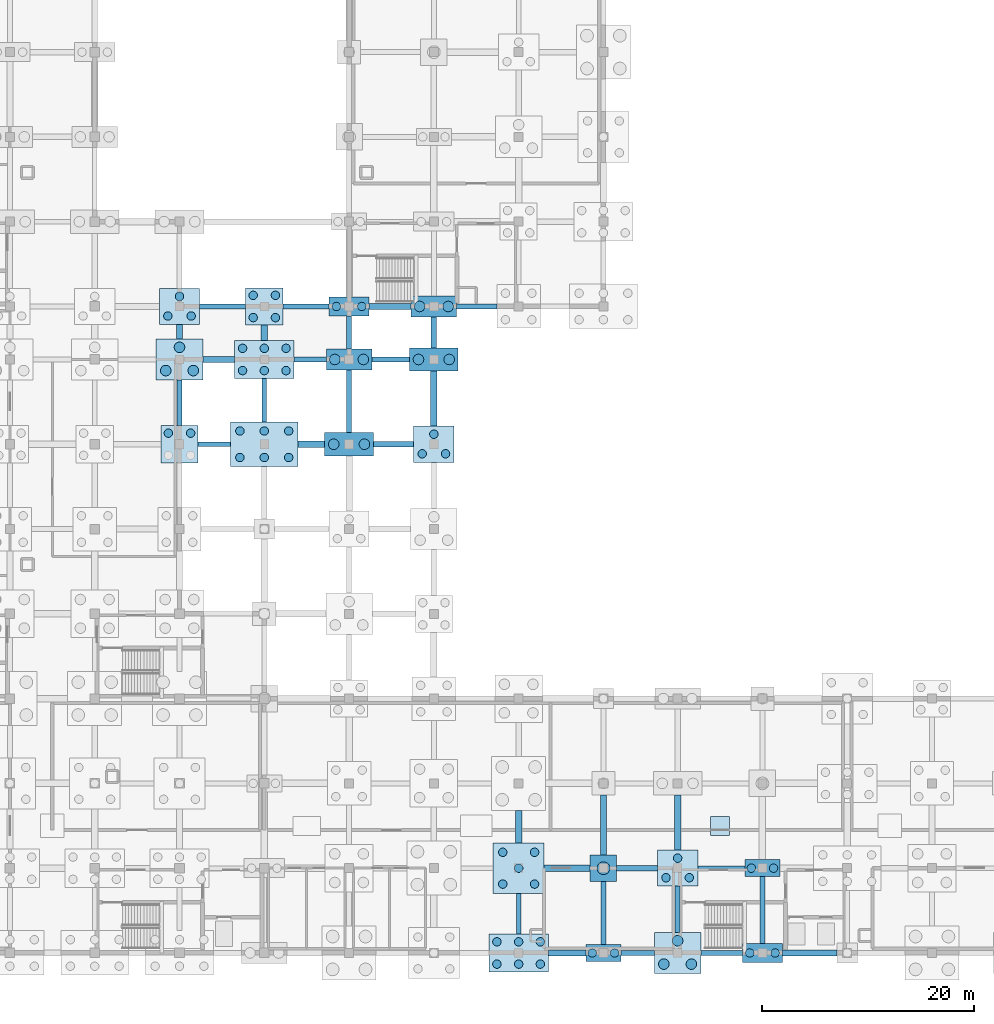
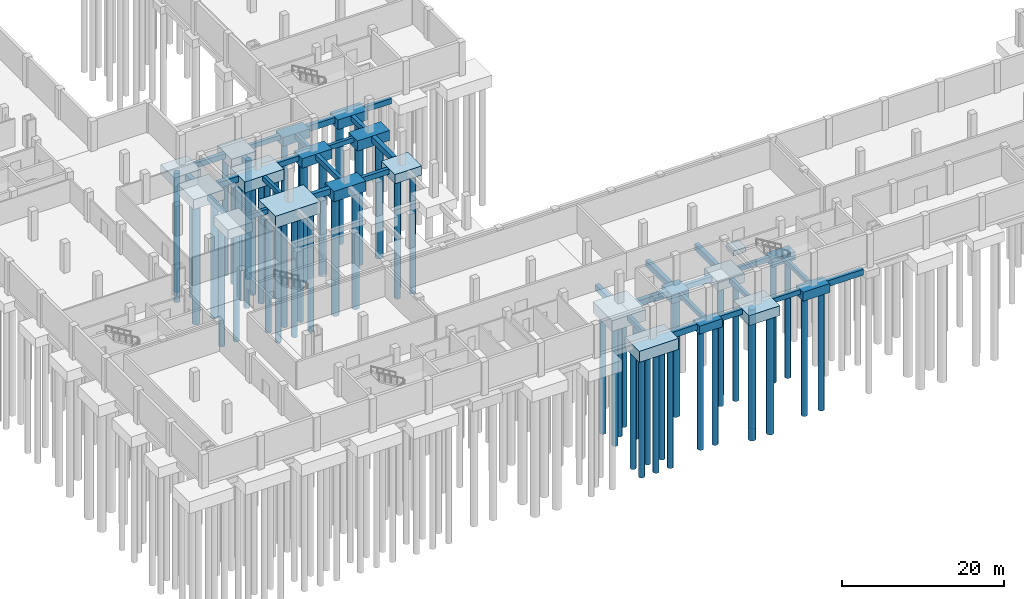
# One storey, part 4 of 26: 61 piles, 53 footings.
"""IFC4 building model written with IfcOpenShell, lengths in metres."""

from ifc_helpers import new_model, si_unit, direction, frame, origin, origin_2d, place, context, subcontext, project, spatial, rectangle, circle, extrude, material, layer, layer_set, material_profile, profile_set, type_object, element, save


model = new_model("IFC4")

# Units and contexts
model_context = context("Model", 3, precision=1e-05, world=origin(), true_north=direction((0.0, 1.0)))
body_context = subcontext(model_context, "Body", "Model", "MODEL_VIEW")
ifc_project = project(units=[si_unit("LENGTHUNIT", "METRE"), si_unit("AREAUNIT", "SQUARE_METRE"), si_unit("VOLUMEUNIT", "CUBIC_METRE"), si_unit("PLANEANGLEUNIT", "RADIAN"), si_unit("MASSUNIT", "GRAM", prefix="KILO")], contexts=[model_context])

# Site, building, storey
site_placement = place(None, origin())
site = spatial("IfcSite", under=ifc_project, at=site_placement, CompositionType="ELEMENT")
building_placement = place(site_placement, origin())
building = spatial("IfcBuilding", under=site, at=building_placement, Name="Qorikala Patio Media Centre", CompositionType="ELEMENT")
storey_placement = place(building_placement, frame((0.0, 0.0, -4.5)))
storey = spatial("IfcBuildingStorey", under=building, at=storey_placement, Name="B1", CompositionType="ELEMENT", Elevation=-4.5)

# Footings
ifc_material = material(Name="Concrete C30/37", Category="concrete")
ifc_material_profile_1 = material_profile(ifc_material, rectangle(XDim=0.449951171875, YDim=0.699951171875, at=origin_2d()), Name="RC 450x700")
ifc_profile_set_1 = profile_set([ifc_material_profile_1], Name="Concrete C30/37")
footing_type_1 = type_object("IfcFootingType", Name="GB-450X700", PredefinedType="FOOTING_BEAM", material=ifc_profile_set_1)
footing_1_placement = place(storey_placement, frame((84.199951171875, 3.0, -0.949951171875), z_axis=(1.0, 0.0, 0.0), x_axis=(0.0, 1.0, 0.0)))
element("IfcFooting", 1, at=footing_1_placement, inside=storey, type_object=footing_type_1, Name="Ground Tie Beam X-011", PredefinedType="FOOTING_BEAM", context=body_context, shape_type="SweptSolid", body=[
    extrude(rectangle(XDim=0.449951171875, YDim=0.699951171875, at=origin_2d()), origin(), (0.0, 0.0, 1.0), 3.900146484375),
])
footing_2_placement = place(storey_placement, frame((83.89990234375, 11.0, -0.949951171875), z_axis=(1.0, 0.0, 0.0), x_axis=(0.0, 1.0, 0.0)))
element("IfcFooting", 2, at=footing_2_placement, inside=storey, type_object=footing_type_1, Name="Ground Tie Beam X-032", PredefinedType="FOOTING_BEAM", context=body_context, shape_type="SweptSolid", body=[
    extrude(rectangle(XDim=0.449951171875, YDim=0.699951171875, at=origin_2d()), origin(), (0.0, 0.0, 1.0), 4.4501953125),
])
footing_3_placement = place(storey_placement, frame((36.75, 51.0, -0.949951171875), z_axis=(1.0, 0.0, 0.0), x_axis=(0.0, 1.0, 0.0)))
element("IfcFooting", 3, at=footing_3_placement, inside=storey, type_object=footing_type_1, Name="Ground Tie Beam X-107", PredefinedType="FOOTING_BEAM", context=body_context, shape_type="SweptSolid", body=[
    extrude(rectangle(XDim=0.449951171875, YDim=0.699951171875, at=origin_2d()), origin(), (0.0, 0.0, 1.0), 3.050048828125),
])
footing_4_placement = place(storey_placement, frame((53.14990234375, 59.0, -0.949951171875), z_axis=(1.0, 0.0, 0.0), x_axis=(0.0, 1.0, 0.0)))
element("IfcFooting", 4, at=footing_4_placement, inside=storey, type_object=footing_type_1, Name="Ground Tie Beam X-116", PredefinedType="FOOTING_BEAM", context=body_context, shape_type="SweptSolid", body=[
    extrude(rectangle(XDim=0.449951171875, YDim=0.699951171875, at=origin_2d()), origin(), (0.0, 0.0, 1.0), 3.550048828125),
])
footing_5_placement = place(storey_placement, frame((44.75, 64.0, -0.949951171875), z_axis=(1.0, 0.0, 0.0), x_axis=(0.0, 1.0, 0.0)))
element("IfcFooting", 5, at=footing_5_placement, inside=storey, type_object=footing_type_1, Name="Ground Tie Beam X-122", PredefinedType="FOOTING_BEAM", context=body_context, shape_type="SweptSolid", body=[
    extrude(rectangle(XDim=0.449951171875, YDim=0.699951171875, at=origin_2d()), origin(), (0.0, 0.0, 1.0), 4.35009765625),
])
footing_6_placement = place(storey_placement, frame((35.0, 52.75, -0.949951171875), z_axis=(0.0, 1.0, 0.0), x_axis=(-1.0, 0.0, 0.0)))
element("IfcFooting", 6, at=footing_6_placement, inside=storey, type_object=footing_type_1, Name="Ground Tie Beam Y-233", PredefinedType="FOOTING_BEAM", context=body_context, shape_type="SweptSolid", body=[
    extrude(rectangle(XDim=0.449951171875, YDim=0.699951171875, at=origin_2d()), origin(), (0.0, 0.0, 1.0), 4.300048828125),
])
footing_7_placement = place(storey_placement, frame((43.0, 53.10009765625, -0.949951171875), z_axis=(0.0, 1.0, 0.0), x_axis=(-1.0, 0.0, 0.0)))
element("IfcFooting", 7, at=footing_7_placement, inside=storey, type_object=footing_type_1, Name="Ground Tie Beam Y-242", PredefinedType="FOOTING_BEAM", context=body_context, shape_type="SweptSolid", body=[
    extrude(rectangle(XDim=0.449951171875, YDim=0.699951171875, at=origin_2d()), origin(), (0.0, 0.0, 1.0), 4.099853515625),
])
footing_8_placement = place(storey_placement, frame((51.0, 60.0, -0.949951171875), z_axis=(0.0, 1.0, 0.0), x_axis=(-1.0, 0.0, 0.0)))
element("IfcFooting", 8, at=footing_8_placement, inside=storey, type_object=footing_type_1, Name="Ground Tie Beam Y-251", PredefinedType="FOOTING_BEAM", context=body_context, shape_type="SweptSolid", body=[
    extrude(rectangle(XDim=0.449951171875, YDim=0.699951171875, at=origin_2d()), origin(), (0.0, 0.0, 1.0), 3.10009765625),
])
footing_9_placement = place(storey_placement, frame((67.0, 4.800048828125, -0.949951171875), z_axis=(0.0, 1.0, 0.0), x_axis=(-1.0, 0.0, 0.0)))
element("IfcFooting", 9, at=footing_9_placement, inside=storey, type_object=footing_type_1, Name="Ground Tie Beam Y-272", PredefinedType="FOOTING_BEAM", context=body_context, shape_type="SweptSolid", body=[
    extrude(rectangle(XDim=0.449951171875, YDim=0.699951171875, at=origin_2d()), origin(), (0.0, 0.0, 1.0), 3.800048828125),
])
footing_10_placement = place(storey_placement, frame((75.0, 3.800048828125, -0.949951171875), z_axis=(0.0, 1.0, 0.0), x_axis=(-1.0, 0.0, 0.0)))
element("IfcFooting", 10, at=footing_10_placement, inside=storey, type_object=footing_type_1, Name="Ground Tie Beam Y-281", PredefinedType="FOOTING_BEAM", context=body_context, shape_type="SweptSolid", body=[
    extrude(rectangle(XDim=0.449951171875, YDim=0.699951171875, at=origin_2d()), origin(), (0.0, 0.0, 1.0), 5.949951171875),
])
footing_11_placement = place(storey_placement, frame((82.0, 4.949951171875, -0.949951171875), z_axis=(0.0, 1.0, 0.0), x_axis=(-1.0, 0.0, 0.0)))
element("IfcFooting", 11, at=footing_11_placement, inside=storey, type_object=footing_type_1, Name="Ground Tie Beam Y-290", PredefinedType="FOOTING_BEAM", context=body_context, shape_type="SweptSolid", body=[
    extrude(rectangle(XDim=0.449951171875, YDim=0.699951171875, at=origin_2d()), origin(), (0.0, 0.0, 1.0), 4.35009765625),
])
footing_12_placement = place(storey_placement, frame((90.0, 3.89990234375, -0.949951171875), z_axis=(0.0, 1.0, 0.0), x_axis=(-1.0, 0.0, 0.0)))
element("IfcFooting", 12, at=footing_12_placement, inside=storey, type_object=footing_type_1, Name="Ground Tie Beam Y-293", PredefinedType="FOOTING_BEAM", context=body_context, shape_type="SweptSolid", body=[
    extrude(rectangle(XDim=0.449951171875, YDim=0.699951171875, at=origin_2d()), origin(), (0.0, 0.0, 1.0), 6.300048828125),
])
ifc_material_profile_2 = material_profile(ifc_material, rectangle(XDim=0.5, YDim=0.800048828125, at=origin_2d()), Name="RC 500x800")
ifc_profile_set_2 = profile_set([ifc_material_profile_2], Name="Concrete C30/37")
footing_type_2 = type_object("IfcFootingType", Name="GB-500X800", PredefinedType="FOOTING_BEAM", material=ifc_profile_set_2)
footing_13_placement = place(storey_placement, frame((76.64990234375, 3.0, -1.0), z_axis=(1.0, 0.0, 0.0), x_axis=(0.0, 1.0, 0.0)))
element("IfcFooting", 13, at=footing_13_placement, inside=storey, type_object=footing_type_2, Name="Ground Tie Beam X-010", PredefinedType="FOOTING_BEAM", context=body_context, shape_type="SweptSolid", body=[
    extrude(rectangle(XDim=0.5, YDim=0.800048828125, at=origin_2d()), origin(), (0.0, 0.0, 1.0), 3.150146484375),
])
footing_14_placement = place(storey_placement, frame((76.25, 11.0, -1.0), z_axis=(1.0, 0.0, 0.0), x_axis=(0.0, 1.0, 0.0)))
element("IfcFooting", 14, at=footing_14_placement, inside=storey, type_object=footing_type_2, Name="Ground Tie Beam X-031", PredefinedType="FOOTING_BEAM", context=body_context, shape_type="SweptSolid", body=[
    extrude(rectangle(XDim=0.5, YDim=0.800048828125, at=origin_2d()), origin(), (0.0, 0.0, 1.0), 3.85009765625),
])
footing_15_placement = place(storey_placement, frame((53.300048828125, 51.0, -1.0), z_axis=(1.0, 0.0, 0.0), x_axis=(0.0, 1.0, 0.0)))
element("IfcFooting", 15, at=footing_15_placement, inside=storey, type_object=footing_type_2, Name="Ground Tie Beam X-109", PredefinedType="FOOTING_BEAM", context=body_context, shape_type="SweptSolid", body=[
    extrude(rectangle(XDim=0.5, YDim=0.800048828125, at=origin_2d()), origin(), (0.0, 0.0, 1.0), 3.800048828125),
])
footing_16_placement = place(storey_placement, frame((45.800048828125, 59.0, -1.0), z_axis=(1.0, 0.0, 0.0), x_axis=(0.0, 1.0, 0.0)))
element("IfcFooting", 16, at=footing_16_placement, inside=storey, type_object=footing_type_2, Name="Ground Tie Beam X-115", PredefinedType="FOOTING_BEAM", context=body_context, shape_type="SweptSolid", body=[
    extrude(rectangle(XDim=0.5, YDim=0.800048828125, at=origin_2d()), origin(), (0.0, 0.0, 1.0), 3.050048828125),
])
footing_17_placement = place(storey_placement, frame((36.89990234375, 64.0, -1.0), z_axis=(1.0, 0.0, 0.0), x_axis=(0.0, 1.0, 0.0)))
element("IfcFooting", 17, at=footing_17_placement, inside=storey, type_object=footing_type_2, Name="Ground Tie Beam X-121", PredefinedType="FOOTING_BEAM", context=body_context, shape_type="SweptSolid", body=[
    extrude(rectangle(XDim=0.5, YDim=0.800048828125, at=origin_2d()), origin(), (0.0, 0.0, 1.0), 4.35009765625),
])
footing_18_placement = place(storey_placement, frame((61.14990234375, 64.0, -1.0), z_axis=(1.0, 0.0, 0.0), x_axis=(0.0, 1.0, 0.0)))
element("IfcFooting", 18, at=footing_18_placement, inside=storey, type_object=footing_type_2, Name="Ground Tie Beam X-124", PredefinedType="FOOTING_BEAM", context=body_context, shape_type="SweptSolid", body=[
    extrude(rectangle(XDim=0.5, YDim=0.800048828125, at=origin_2d()), origin(), (0.0, 0.0, 1.0), 3.800048828125),
])
footing_19_placement = place(storey_placement, frame((51.0, 52.10009765625, -1.0), z_axis=(0.0, 1.0, 0.0), x_axis=(-1.0, 0.0, 0.0)))
element("IfcFooting", 19, at=footing_19_placement, inside=storey, type_object=footing_type_2, Name="Ground Tie Beam Y-250", PredefinedType="FOOTING_BEAM", context=body_context, shape_type="SweptSolid", body=[
    extrude(rectangle(XDim=0.5, YDim=0.800048828125, at=origin_2d()), origin(), (0.0, 0.0, 1.0), 5.89990234375),
])
footing_20_placement = place(storey_placement, frame((59.0, 60.10009765625, -1.0), z_axis=(0.0, 1.0, 0.0), x_axis=(-1.0, 0.0, 0.0)))
element("IfcFooting", 20, at=footing_20_placement, inside=storey, type_object=footing_type_2, Name="Ground Tie Beam Y-265", PredefinedType="FOOTING_BEAM", context=body_context, shape_type="SweptSolid", body=[
    extrude(rectangle(XDim=0.5, YDim=0.800048828125, at=origin_2d()), origin(), (0.0, 0.0, 1.0), 2.89990234375),
])
ifc_material_profile_3 = material_profile(ifc_material, rectangle(XDim=0.60009765625, YDim=0.89990234375, at=origin_2d()), Name="RC 600x900")
ifc_profile_set_3 = profile_set([ifc_material_profile_3], Name="Concrete C30/37")
footing_type_3 = type_object("IfcFootingType", Name="GB-600X900", PredefinedType="FOOTING_BEAM", material=ifc_profile_set_3)
footing_21_placement = place(storey_placement, frame((69.800048828125, 3.0, -1.050048828125), z_axis=(1.0, 0.0, 0.0), x_axis=(0.0, 1.0, 0.0)))
element("IfcFooting", 21, at=footing_21_placement, inside=storey, type_object=footing_type_3, Name="Ground Tie Beam X-009", PredefinedType="FOOTING_BEAM", context=body_context, shape_type="SweptSolid", body=[
    extrude(rectangle(XDim=0.60009765625, YDim=0.89990234375, at=origin_2d()), origin(), (0.0, 0.0, 1.0), 3.550048828125),
])
footing_22_placement = place(storey_placement, frame((91.89990234375, 3.0, -1.050048828125), z_axis=(1.0, 0.0, 0.0), x_axis=(0.0, 1.0, 0.0)))
element("IfcFooting", 22, at=footing_22_placement, inside=storey, type_object=footing_type_3, Name="Ground Tie Beam X-012", PredefinedType="FOOTING_BEAM", context=body_context, shape_type="SweptSolid", body=[
    extrude(rectangle(XDim=0.60009765625, YDim=0.89990234375, at=origin_2d()), origin(), (0.0, 0.0, 1.0), 5.150146484375),
])
footing_23_placement = place(storey_placement, frame((69.39990234375, 11.0, -1.050048828125), z_axis=(1.0, 0.0, 0.0), x_axis=(0.0, 1.0, 0.0)))
element("IfcFooting", 23, at=footing_23_placement, inside=storey, type_object=footing_type_3, Name="Ground Tie Beam X-030", PredefinedType="FOOTING_BEAM", context=body_context, shape_type="SweptSolid", body=[
    extrude(rectangle(XDim=0.60009765625, YDim=0.89990234375, at=origin_2d()), origin(), (0.0, 0.0, 1.0), 4.35009765625),
])
footing_24_placement = place(storey_placement, frame((46.199951171875, 51.0, -1.050048828125), z_axis=(1.0, 0.0, 0.0), x_axis=(0.0, 1.0, 0.0)))
element("IfcFooting", 24, at=footing_24_placement, inside=storey, type_object=footing_type_3, Name="Ground Tie Beam X-108", PredefinedType="FOOTING_BEAM", context=body_context, shape_type="SweptSolid", body=[
    extrude(rectangle(XDim=0.60009765625, YDim=0.89990234375, at=origin_2d()), origin(), (0.0, 0.0, 1.0), 2.5),
])
footing_25_placement = place(storey_placement, frame((37.199951171875, 59.0, -1.050048828125), z_axis=(1.0, 0.0, 0.0), x_axis=(0.0, 1.0, 0.0)))
element("IfcFooting", 25, at=footing_25_placement, inside=storey, type_object=footing_type_3, Name="Ground Tie Beam X-114", PredefinedType="FOOTING_BEAM", context=body_context, shape_type="SweptSolid", body=[
    extrude(rectangle(XDim=0.60009765625, YDim=0.89990234375, at=origin_2d()), origin(), (0.0, 0.0, 1.0), 3.0),
])
footing_26_placement = place(storey_placement, frame((52.89990234375, 64.0, -1.050048828125), z_axis=(1.0, 0.0, 0.0), x_axis=(0.0, 1.0, 0.0)))
element("IfcFooting", 26, at=footing_26_placement, inside=storey, type_object=footing_type_3, Name="Ground Tie Beam X-123", PredefinedType="FOOTING_BEAM", context=body_context, shape_type="SweptSolid", body=[
    extrude(rectangle(XDim=0.60009765625, YDim=0.89990234375, at=origin_2d()), origin(), (0.0, 0.0, 1.0), 3.9501953125),
])
footing_27_placement = place(storey_placement, frame((35.0, 60.949951171875, -1.050048828125), z_axis=(0.0, 1.0, 0.0), x_axis=(-1.0, 0.0, 0.0)))
element("IfcFooting", 27, at=footing_27_placement, inside=storey, type_object=footing_type_3, Name="Ground Tie Beam Y-234", PredefinedType="FOOTING_BEAM", context=body_context, shape_type="SweptSolid", body=[
    extrude(rectangle(XDim=0.60009765625, YDim=0.89990234375, at=origin_2d()), origin(), (0.0, 0.0, 1.0), 1.35009765625),
])
footing_28_placement = place(storey_placement, frame((43.0, 60.800048828125, -1.050048828125), z_axis=(0.0, 1.0, 0.0), x_axis=(-1.0, 0.0, 0.0)))
element("IfcFooting", 28, at=footing_28_placement, inside=storey, type_object=footing_type_3, Name="Ground Tie Beam Y-243", PredefinedType="FOOTING_BEAM", context=body_context, shape_type="SweptSolid", body=[
    extrude(rectangle(XDim=0.60009765625, YDim=0.89990234375, at=origin_2d()), origin(), (0.0, 0.0, 1.0), 1.449951171875),
])
footing_29_placement = place(storey_placement, frame((59.0, 52.699951171875, -1.050048828125), z_axis=(0.0, 1.0, 0.0), x_axis=(-1.0, 0.0, 0.0)))
element("IfcFooting", 29, at=footing_29_placement, inside=storey, type_object=footing_type_3, Name="Ground Tie Beam Y-264", PredefinedType="FOOTING_BEAM", context=body_context, shape_type="SweptSolid", body=[
    extrude(rectangle(XDim=0.60009765625, YDim=0.89990234375, at=origin_2d()), origin(), (0.0, 0.0, 1.0), 5.199951171875),
])
footing_30_placement = place(storey_placement, frame((67.0, 13.39990234375, -1.050048828125), z_axis=(0.0, 1.0, 0.0), x_axis=(-1.0, 0.0, 0.0)))
element("IfcFooting", 30, at=footing_30_placement, inside=storey, type_object=footing_type_3, Name="Ground Tie Beam Y-273", PredefinedType="FOOTING_BEAM", context=body_context, shape_type="SweptSolid", body=[
    extrude(rectangle(XDim=0.60009765625, YDim=0.89990234375, at=origin_2d()), origin(), (0.0, 0.0, 1.0), 3.050048828125),
])
footing_31_placement = place(storey_placement, frame((75.0, 12.25, -1.050048828125), z_axis=(0.0, 1.0, 0.0), x_axis=(-1.0, 0.0, 0.0)))
element("IfcFooting", 31, at=footing_31_placement, inside=storey, type_object=footing_type_3, Name="Ground Tie Beam Y-282", PredefinedType="FOOTING_BEAM", context=body_context, shape_type="SweptSolid", body=[
    extrude(rectangle(XDim=0.60009765625, YDim=0.89990234375, at=origin_2d()), origin(), (0.0, 0.0, 1.0), 5.64990234375),
])
footing_32_placement = place(storey_placement, frame((82.0, 12.699951171875, -1.050048828125), z_axis=(0.0, 1.0, 0.0), x_axis=(-1.0, 0.0, 0.0)))
element("IfcFooting", 32, at=footing_32_placement, inside=storey, type_object=footing_type_3, Name="Ground Tie Beam Y-291", PredefinedType="FOOTING_BEAM", context=body_context, shape_type="SweptSolid", body=[
    extrude(rectangle(XDim=0.60009765625, YDim=0.89990234375, at=origin_2d()), origin(), (0.0, 0.0, 1.0), 5.199951171875),
])
ifc_layer_1 = layer(ifc_material, 1.35009765625)
ifc_layer_set_1 = layer_set([ifc_layer_1], Name="Concrete C30/37")
footing_type_4 = type_object("IfcFootingType", Name="PC-1C", PredefinedType="PILE_CAP", material=ifc_layer_set_1)
footing_33_placement = place(storey_placement, frame((75.0, 11.0, -1.949951171875), z_axis=(0.0, 0.0, 1.0), x_axis=(1.0, 0.0, 0.0)))
element("IfcFooting", 33, at=footing_33_placement, inside=storey, type_object=footing_type_4, Name="Pile Cap PC-1C at (75.0,11.0)", PredefinedType="PILE_CAP", context=body_context, shape_type="SweptSolid", body=[
    extrude(rectangle(XDim=2.5, YDim=2.5, at=origin_2d()), origin(), (0.0, 0.0, 1.0), 1.35009765625),
])
ifc_layer_2 = layer(ifc_material, 1.25)
ifc_layer_set_2 = layer_set([ifc_layer_2], Name="Concrete C30/37")
footing_type_5 = type_object("IfcFootingType", Name="PC-2A", PredefinedType="PILE_CAP", material=ifc_layer_set_2)
for number, where, z_axis, x_axis, name in (
    (34, (75.0, 3.0, -1.85009765625), (0.0, 0.0, 1.0), (1.0, 0.0, 0.0), "Pile Cap PC-2A at (75.0,3.0)"),
    (35, (90.0, 11.0, -1.85009765625), (0.0, 0.0, 1.0), (1.0, 0.0, 0.0), "Pile Cap PC-2A at (90.0,11.0)"),
):
    element("IfcFooting", number, at=place(storey_placement, frame(where, z_axis=z_axis, x_axis=x_axis)), inside=storey, type_object=footing_type_5, Name=name, PredefinedType="PILE_CAP", context=body_context, shape_type="SweptSolid", body=[
        extrude(rectangle(XDim=3.300048828125, YDim=1.60009765625, at=origin_2d()), origin(), (0.0, 0.0, 1.0), 1.25),
    ])
ifc_layer_3 = layer(ifc_material, 1.35009765625)
ifc_layer_set_3 = layer_set([ifc_layer_3], Name="Concrete C30/37")
footing_type_6 = type_object("IfcFootingType", Name="PC-2B", PredefinedType="PILE_CAP", material=ifc_layer_set_3)
for number, where, z_axis, x_axis, name in (
    (36, (51.0, 64.0, -1.949951171875), (0.0, 0.0, 1.0), (1.0, 0.0, 0.0), "Pile Cap PC-2B at (51.0,64.0)"),
    (37, (90.0, 3.0, -1.949951171875), (0.0, 0.0, 1.0), (1.0, 0.0, 0.0), "Pile Cap PC-2B at (90.0,3.0)"),
):
    element("IfcFooting", number, at=place(storey_placement, frame(where, z_axis=z_axis, x_axis=x_axis)), inside=storey, type_object=footing_type_6, Name=name, PredefinedType="PILE_CAP", context=body_context, shape_type="SweptSolid", body=[
        extrude(rectangle(XDim=3.800048828125, YDim=1.800048828125, at=origin_2d()), origin(), (0.0, 0.0, 1.0), 1.35009765625),
    ])
ifc_layer_4 = layer(ifc_material, 1.449951171875)
ifc_layer_set_4 = layer_set([ifc_layer_4], Name="Concrete C30/37")
footing_type_7 = type_object("IfcFootingType", Name="PC-2C", PredefinedType="PILE_CAP", material=ifc_layer_set_4)
for number, where, z_axis, x_axis, name in (
    (38, (51.0, 59.0, -2.0498046875), (0.0, 0.0, 1.0), (1.0, 0.0, 0.0), "Pile Cap PC-2C at (51.0,59.0)"),
    (39, (59.0, 64.0, -2.0498046875), (0.0, 0.0, 1.0), (1.0, 0.0, 0.0), "Pile Cap PC-2C at (59.0,64.0)"),
):
    element("IfcFooting", number, at=place(storey_placement, frame(where, z_axis=z_axis, x_axis=x_axis)), inside=storey, type_object=footing_type_7, Name=name, PredefinedType="PILE_CAP", context=body_context, shape_type="SweptSolid", body=[
        extrude(rectangle(XDim=4.300048828125, YDim=2.0, at=origin_2d()), origin(), (0.0, 0.0, 1.0), 1.449951171875),
    ])
ifc_layer_5 = layer(ifc_material, 1.550048828125)
ifc_layer_set_5 = layer_set([ifc_layer_5], Name="Concrete C30/37")
footing_type_8 = type_object("IfcFootingType", Name="PC-2D", PredefinedType="PILE_CAP", material=ifc_layer_set_5)
for number, where, z_axis, x_axis, name in (
    (40, (51.0, 51.0, -2.14990234375), (0.0, 0.0, 1.0), (1.0, 0.0, 0.0), "Pile Cap PC-2D at (51.0,51.0)"),
    (41, (59.0, 59.0, -2.14990234375), (0.0, 0.0, 1.0), (1.0, 0.0, 0.0), "Pile Cap PC-2D at (59.0,59.0)"),
):
    element("IfcFooting", number, at=place(storey_placement, frame(where, z_axis=z_axis, x_axis=x_axis)), inside=storey, type_object=footing_type_8, Name=name, PredefinedType="PILE_CAP", context=body_context, shape_type="SweptSolid", body=[
        extrude(rectangle(XDim=4.60009765625, YDim=2.199951171875, at=origin_2d()), origin(), (0.0, 0.0, 1.0), 1.550048828125),
    ])
ifc_layer_6 = layer(ifc_material, 1.39990234375)
ifc_layer_set_6 = layer_set([ifc_layer_6], Name="Concrete C30/37")
footing_type_9 = type_object("IfcFootingType", Name="PC-3A", PredefinedType="PILE_CAP", material=ifc_layer_set_6)
for number, where, z_axis, x_axis, name in (
    (42, (35.0, 64.0, -2.0), (0.0, 0.0, 1.0), (1.0, 0.0, 0.0), "Pile Cap PC-3A at (35.0,64.0)"),
    (43, (59.0, 51.0, -2.0), (0.0, 0.0, 1.0), (1.0, 0.0, 0.0), "Pile Cap PC-3A at (59.0,51.0)"),
    (44, (82.0, 11.0, -2.0), (0.0, 0.0, 1.0), (1.0, 0.0, 0.0), "Pile Cap PC-3A at (82.0,11.0)"),
):
    element("IfcFooting", number, at=place(storey_placement, frame(where, z_axis=z_axis, x_axis=x_axis)), inside=storey, type_object=footing_type_9, Name=name, PredefinedType="PILE_CAP", context=body_context, shape_type="SweptSolid", body=[
        extrude(rectangle(XDim=3.800048828125, YDim=3.39990234375, at=origin_2d()), origin(), (0.0, 0.0, 1.0), 1.39990234375),
    ])
ifc_layer_7 = layer(ifc_material, 1.5)
ifc_layer_set_7 = layer_set([ifc_layer_7], Name="Concrete C30/37")
footing_type_10 = type_object("IfcFootingType", Name="PC-3B", PredefinedType="PILE_CAP", material=ifc_layer_set_7)
for number, where, z_axis, x_axis, name in (
    (45, (35.0, 59.0, -2.10009765625), (0.0, 0.0, 1.0), (1.0, 0.0, 0.0), "Pile Cap PC-3B at (35.0,59.0)"),
    (46, (82.0, 3.0, -2.10009765625), (0.0, 0.0, 1.0), (1.0, 0.0, 0.0), "Pile Cap PC-3B at (82.0,3.0)"),
):
    element("IfcFooting", number, at=place(storey_placement, frame(where, z_axis=z_axis, x_axis=x_axis)), inside=storey, type_object=footing_type_10, Name=name, PredefinedType="PILE_CAP", context=body_context, shape_type="SweptSolid", body=[
        extrude(rectangle(XDim=4.39990234375, YDim=3.89990234375, at=origin_2d()), origin(), (0.0, 0.0, 1.0), 1.5),
    ])
ifc_layer_8 = layer(ifc_material, 1.39990234375)
ifc_layer_set_8 = layer_set([ifc_layer_8], Name="Concrete C30/37")
footing_type_11 = type_object("IfcFootingType", Name="PC-4A", PredefinedType="PILE_CAP", material=ifc_layer_set_8)
for number, where, z_axis, x_axis, name in (
    (47, (35.0, 51.0, -2.0), (0.0, 0.0, 1.0), (1.0, 0.0, 0.0), "Pile Cap PC-4A at (35.0,51.0)"),
    (48, (43.0, 64.0, -2.0), (0.0, 0.0, 1.0), (1.0, 0.0, 0.0), "Pile Cap PC-4A at (43.0,64.0)"),
):
    element("IfcFooting", number, at=place(storey_placement, frame(where, z_axis=z_axis, x_axis=x_axis)), inside=storey, type_object=footing_type_11, Name=name, PredefinedType="PILE_CAP", context=body_context, shape_type="SweptSolid", body=[
        extrude(rectangle(XDim=3.5, YDim=3.5, at=origin_2d()), origin(), (0.0, 0.0, 1.0), 1.39990234375),
    ])
ifc_layer_9 = layer(ifc_material, 1.64990234375)
ifc_layer_set_9 = layer_set([ifc_layer_9], Name="Concrete C30/37")
footing_type_12 = type_object("IfcFootingType", Name="PC-5A", PredefinedType="PILE_CAP", material=ifc_layer_set_9)
footing_34_placement = place(storey_placement, frame((67.0, 11.0, -2.25), z_axis=(0.0, 0.0, 1.0), x_axis=(1.0, 0.0, 0.0)))
element("IfcFooting", 49, at=footing_34_placement, inside=storey, type_object=footing_type_12, Name="Pile Cap PC-5A at (67.0,11.0)", PredefinedType="PILE_CAP", context=body_context, shape_type="SweptSolid", body=[
    extrude(rectangle(XDim=4.800048828125, YDim=4.800048828125, at=origin_2d()), origin(), (0.0, 0.0, 1.0), 1.64990234375),
])
ifc_layer_10 = layer(ifc_material, 1.64990234375)
ifc_layer_set_10 = layer_set([ifc_layer_10], Name="Concrete C30/37")
footing_type_13 = type_object("IfcFootingType", Name="PC-6A", PredefinedType="PILE_CAP", material=ifc_layer_set_10)
for number, where, z_axis, x_axis, name in (
    (50, (43.0, 59.0, -2.25), (0.0, 0.0, 1.0), (1.0, 0.0, 0.0), "Pile Cap PC-6A at (43.0,59.0)"),
    (51, (67.0, 3.0, -2.25), (0.0, 0.0, 1.0), (1.0, 0.0, 0.0), "Pile Cap PC-6A at (67.0,3.0)"),
):
    element("IfcFooting", number, at=place(storey_placement, frame(where, z_axis=z_axis, x_axis=x_axis)), inside=storey, type_object=footing_type_13, Name=name, PredefinedType="PILE_CAP", context=body_context, shape_type="SweptSolid", body=[
        extrude(rectangle(XDim=5.60009765625, YDim=3.60009765625, at=origin_2d()), origin(), (0.0, 0.0, 1.0), 1.64990234375),
    ])
ifc_layer_11 = layer(ifc_material, 1.800048828125)
ifc_layer_set_11 = layer_set([ifc_layer_11], Name="Concrete C30/37")
footing_type_14 = type_object("IfcFootingType", Name="PC-6B", PredefinedType="PILE_CAP", material=ifc_layer_set_11)
footing_35_placement = place(storey_placement, frame((43.0, 51.0, -2.39990234375), z_axis=(0.0, 0.0, 1.0), x_axis=(1.0, 0.0, 0.0)))
element("IfcFooting", 52, at=footing_35_placement, inside=storey, type_object=footing_type_14, Name="Pile Cap PC-6B at (43.0,51.0)", PredefinedType="PILE_CAP", context=body_context, shape_type="SweptSolid", body=[
    extrude(rectangle(XDim=6.39990234375, YDim=4.199951171875, at=origin_2d()), origin(), (0.0, 0.0, 1.0), 1.800048828125),
])
ifc_layer_12 = layer(ifc_material, 0.75)
ifc_layer_set_12 = layer_set([ifc_layer_12], Name="Concrete C30/37")
footing_type_15 = type_object("IfcFootingType", Name="PF-180", PredefinedType="PAD_FOOTING", material=ifc_layer_set_12)
footing_36_placement = place(storey_placement, frame((86.0, 15.0, -1.35009765625), z_axis=(0.0, 0.0, 1.0), x_axis=(1.0, 0.0, 0.0)))
element("IfcFooting", 53, at=footing_36_placement, inside=storey, type_object=footing_type_15, Name="Courtyard Pad Footing 05", PredefinedType="PAD_FOOTING", context=body_context, shape_type="SweptSolid", body=[
    extrude(rectangle(XDim=1.800048828125, YDim=1.800048828125, at=origin_2d()), origin(), (0.0, 0.0, 1.0), 0.75),
])

# Piles
ifc_material_profile_4 = material_profile(ifc_material, circle(Radius=0.5, at=origin_2d()), Name="BORED PILE 1000")
ifc_profile_set_4 = profile_set([ifc_material_profile_4], Name="Concrete C30/37")
pile_type_1 = type_object("IfcPileType", Name="PILE-1000", PredefinedType="BORED", material=ifc_profile_set_4)
for number, where, z_axis, x_axis, name in (
    (54, (33.699951171875, 57.949951171875, -2.0), (0.0, 0.0, -1.0), (1.0, 0.0, 0.0), "Bored Pile 0234"),
    (55, (36.300048828125, 57.949951171875, -2.0), (0.0, 0.0, -1.0), (1.0, 0.0, 0.0), "Bored Pile 0235"),
    (56, (35.0, 60.14990234375, -2.0), (0.0, 0.0, -1.0), (1.0, 0.0, 0.0), "Bored Pile 0236"),
    (57, (49.550048828125, 51.0, -2.050048828125), (0.0, 0.0, -1.0), (1.0, 0.0, 0.0), "Bored Pile 0289"),
    (58, (52.449951171875, 51.0, -2.050048828125), (0.0, 0.0, -1.0), (1.0, 0.0, 0.0), "Bored Pile 0290"),
    (59, (49.64990234375, 59.0, -1.949951171875), (0.0, 0.0, -1.0), (1.0, 0.0, 0.0), "Bored Pile 0291"),
    (60, (52.35009765625, 59.0, -1.949951171875), (0.0, 0.0, -1.0), (1.0, 0.0, 0.0), "Bored Pile 0292"),
    (61, (57.550048828125, 59.0, -2.050048828125), (0.0, 0.0, -1.0), (1.0, 0.0, 0.0), "Bored Pile 0339"),
    (62, (60.449951171875, 59.0, -2.050048828125), (0.0, 0.0, -1.0), (1.0, 0.0, 0.0), "Bored Pile 0340"),
    (63, (57.64990234375, 64.0, -1.949951171875), (0.0, 0.0, -1.0), (1.0, 0.0, 0.0), "Bored Pile 0341"),
    (64, (60.35009765625, 64.0, -1.949951171875), (0.0, 0.0, -1.0), (1.0, 0.0, 0.0), "Bored Pile 0342"),
    (65, (80.699951171875, 1.949951171875, -2.0), (0.0, 0.0, -1.0), (1.0, 0.0, 0.0), "Bored Pile 0433"),
    (66, (83.300048828125, 1.949951171875, -2.0), (0.0, 0.0, -1.0), (1.0, 0.0, 0.0), "Bored Pile 0434"),
    (67, (82.0, 4.14990234375, -2.0), (0.0, 0.0, -1.0), (1.0, 0.0, 0.0), "Bored Pile 0435"),
):
    element("IfcPile", number, at=place(storey_placement, frame(where, z_axis=z_axis, x_axis=x_axis)), inside=storey, type_object=pile_type_1, Name=name, PredefinedType="BORED", context=body_context, shape_type="SweptSolid", body=[
        extrude(circle(Radius=0.5, at=origin_2d()), origin(), (0.0, 0.0, 1.0), 18.0),
    ])
ifc_material_profile_5 = material_profile(ifc_material, circle(Radius=0.60009765625, at=origin_2d()), Name="BORED PILE 1200")
ifc_profile_set_5 = profile_set([ifc_material_profile_5], Name="Concrete C30/37")
pile_type_2 = type_object("IfcPileType", Name="PILE-1200", PredefinedType="BORED", material=ifc_profile_set_5)
pile_placement = place(storey_placement, frame((75.0, 11.0, -1.85009765625), z_axis=(0.0, 0.0, -1.0), x_axis=(1.0, 0.0, 0.0)))
element("IfcPile", 68, at=pile_placement, inside=storey, type_object=pile_type_2, Name="Bored Pile 0397", PredefinedType="BORED", context=body_context, shape_type="SweptSolid", body=[
    extrude(circle(Radius=0.60009765625, at=origin_2d()), origin(), (0.0, 0.0, 1.0), 18.0),
])
ifc_material_profile_6 = material_profile(ifc_material, circle(Radius=0.39990234375, at=origin_2d()), Name="BORED PILE 800")
ifc_profile_set_6 = profile_set([ifc_material_profile_6], Name="Concrete C30/37")
pile_type_3 = type_object("IfcPileType", Name="PILE-800", PredefinedType="BORED", material=ifc_profile_set_6)
for number, where, z_axis, x_axis, name in (
    (69, (33.949951171875, 52.050048828125, -1.89990234375), (0.0, 0.0, -1.0), (1.0, 0.0, 0.0), "Bored Pile 0232"),
    (70, (36.050048828125, 52.050048828125, -1.89990234375), (0.0, 0.0, -1.0), (1.0, 0.0, 0.0), "Bored Pile 0233"),
    (71, (33.89990234375, 63.10009765625, -1.89990234375), (0.0, 0.0, -1.0), (1.0, 0.0, 0.0), "Bored Pile 0237"),
    (72, (36.10009765625, 63.10009765625, -1.89990234375), (0.0, 0.0, -1.0), (1.0, 0.0, 0.0), "Bored Pile 0238"),
    (73, (35.0, 64.949951171875, -1.89990234375), (0.0, 0.0, -1.0), (1.0, 0.0, 0.0), "Bored Pile 0239"),
    (74, (40.699951171875, 49.75, -2.300048828125), (0.0, 0.0, -1.0), (1.0, 0.0, 0.0), "Bored Pile 0251"),
    (75, (43.0, 49.75, -2.300048828125), (0.0, 0.0, -1.0), (1.0, 0.0, 0.0), "Bored Pile 0252"),
    (76, (45.300048828125, 49.75, -2.300048828125), (0.0, 0.0, -1.0), (1.0, 0.0, 0.0), "Bored Pile 0253"),
    (77, (40.699951171875, 52.25, -2.300048828125), (0.0, 0.0, -1.0), (1.0, 0.0, 0.0), "Bored Pile 0254"),
    (78, (43.0, 52.25, -2.300048828125), (0.0, 0.0, -1.0), (1.0, 0.0, 0.0), "Bored Pile 0255"),
    (79, (45.300048828125, 52.25, -2.300048828125), (0.0, 0.0, -1.0), (1.0, 0.0, 0.0), "Bored Pile 0256"),
    (80, (40.949951171875, 57.949951171875, -2.14990234375), (0.0, 0.0, -1.0), (1.0, 0.0, 0.0), "Bored Pile 0257"),
    (81, (43.0, 57.949951171875, -2.14990234375), (0.0, 0.0, -1.0), (1.0, 0.0, 0.0), "Bored Pile 0258"),
    (82, (45.050048828125, 57.949951171875, -2.14990234375), (0.0, 0.0, -1.0), (1.0, 0.0, 0.0), "Bored Pile 0259"),
    (83, (40.949951171875, 60.050048828125, -2.14990234375), (0.0, 0.0, -1.0), (1.0, 0.0, 0.0), "Bored Pile 0260"),
    (84, (43.0, 60.050048828125, -2.14990234375), (0.0, 0.0, -1.0), (1.0, 0.0, 0.0), "Bored Pile 0261"),
    (85, (45.050048828125, 60.050048828125, -2.14990234375), (0.0, 0.0, -1.0), (1.0, 0.0, 0.0), "Bored Pile 0262"),
    (86, (41.949951171875, 62.949951171875, -1.89990234375), (0.0, 0.0, -1.0), (1.0, 0.0, 0.0), "Bored Pile 0263"),
    (87, (44.050048828125, 62.949951171875, -1.89990234375), (0.0, 0.0, -1.0), (1.0, 0.0, 0.0), "Bored Pile 0264"),
    (88, (41.949951171875, 65.050048828125, -1.89990234375), (0.0, 0.0, -1.0), (1.0, 0.0, 0.0), "Bored Pile 0265"),
    (89, (44.050048828125, 65.050048828125, -1.89990234375), (0.0, 0.0, -1.0), (1.0, 0.0, 0.0), "Bored Pile 0266"),
    (90, (49.800048828125, 64.0, -1.85009765625), (0.0, 0.0, -1.0), (1.0, 0.0, 0.0), "Bored Pile 0293"),
    (91, (52.199951171875, 64.0, -1.85009765625), (0.0, 0.0, -1.0), (1.0, 0.0, 0.0), "Bored Pile 0294"),
    (92, (57.89990234375, 50.10009765625, -1.89990234375), (0.0, 0.0, -1.0), (1.0, 0.0, 0.0), "Bored Pile 0336"),
    (93, (60.10009765625, 50.10009765625, -1.89990234375), (0.0, 0.0, -1.0), (1.0, 0.0, 0.0), "Bored Pile 0337"),
    (94, (59.0, 51.949951171875, -1.89990234375), (0.0, 0.0, -1.0), (1.0, 0.0, 0.0), "Bored Pile 0338"),
    (95, (64.949951171875, 1.949951171875, -2.14990234375), (0.0, 0.0, -1.0), (1.0, 0.0, 0.0), "Bored Pile 0356"),
    (96, (67.0, 1.949951171875, -2.14990234375), (0.0, 0.0, -1.0), (1.0, 0.0, 0.0), "Bored Pile 0357"),
    (97, (69.050048828125, 1.949951171875, -2.14990234375), (0.0, 0.0, -1.0), (1.0, 0.0, 0.0), "Bored Pile 0358"),
    (98, (64.949951171875, 4.050048828125, -2.14990234375), (0.0, 0.0, -1.0), (1.0, 0.0, 0.0), "Bored Pile 0359"),
    (99, (67.0, 4.050048828125, -2.14990234375), (0.0, 0.0, -1.0), (1.0, 0.0, 0.0), "Bored Pile 0360"),
    (100, (69.050048828125, 4.050048828125, -2.14990234375), (0.0, 0.0, -1.0), (1.0, 0.0, 0.0), "Bored Pile 0361"),
    (101, (65.5, 9.5, -2.14990234375), (0.0, 0.0, -1.0), (1.0, 0.0, 0.0), "Bored Pile 0362"),
    (102, (68.5, 9.5, -2.14990234375), (0.0, 0.0, -1.0), (1.0, 0.0, 0.0), "Bored Pile 0363"),
    (103, (67.0, 11.0, -2.14990234375), (0.0, 0.0, -1.0), (1.0, 0.0, 0.0), "Bored Pile 0364"),
    (104, (65.5, 12.5, -2.14990234375), (0.0, 0.0, -1.0), (1.0, 0.0, 0.0), "Bored Pile 0365"),
    (105, (68.5, 12.5, -2.14990234375), (0.0, 0.0, -1.0), (1.0, 0.0, 0.0), "Bored Pile 0366"),
    (106, (73.949951171875, 3.0, -1.75), (0.0, 0.0, -1.0), (1.0, 0.0, 0.0), "Bored Pile 0395"),
    (107, (76.050048828125, 3.0, -1.75), (0.0, 0.0, -1.0), (1.0, 0.0, 0.0), "Bored Pile 0396"),
    (108, (80.89990234375, 10.10009765625, -1.89990234375), (0.0, 0.0, -1.0), (1.0, 0.0, 0.0), "Bored Pile 0436"),
    (109, (83.10009765625, 10.10009765625, -1.89990234375), (0.0, 0.0, -1.0), (1.0, 0.0, 0.0), "Bored Pile 0437"),
    (110, (82.0, 11.949951171875, -1.89990234375), (0.0, 0.0, -1.0), (1.0, 0.0, 0.0), "Bored Pile 0438"),
    (111, (88.800048828125, 3.0, -1.85009765625), (0.0, 0.0, -1.0), (1.0, 0.0, 0.0), "Bored Pile 0443"),
    (112, (91.199951171875, 3.0, -1.85009765625), (0.0, 0.0, -1.0), (1.0, 0.0, 0.0), "Bored Pile 0444"),
    (113, (88.949951171875, 11.0, -1.75), (0.0, 0.0, -1.0), (1.0, 0.0, 0.0), "Bored Pile 0445"),
    (114, (91.050048828125, 11.0, -1.75), (0.0, 0.0, -1.0), (1.0, 0.0, 0.0), "Bored Pile 0446"),
):
    element("IfcPile", number, at=place(storey_placement, frame(where, z_axis=z_axis, x_axis=x_axis)), inside=storey, type_object=pile_type_3, Name=name, PredefinedType="BORED", context=body_context, shape_type="SweptSolid", body=[
        extrude(circle(Radius=0.39990234375, at=origin_2d()), origin(), (0.0, 0.0, 1.0), 18.0),
    ])

save(model, "model.ifc")
